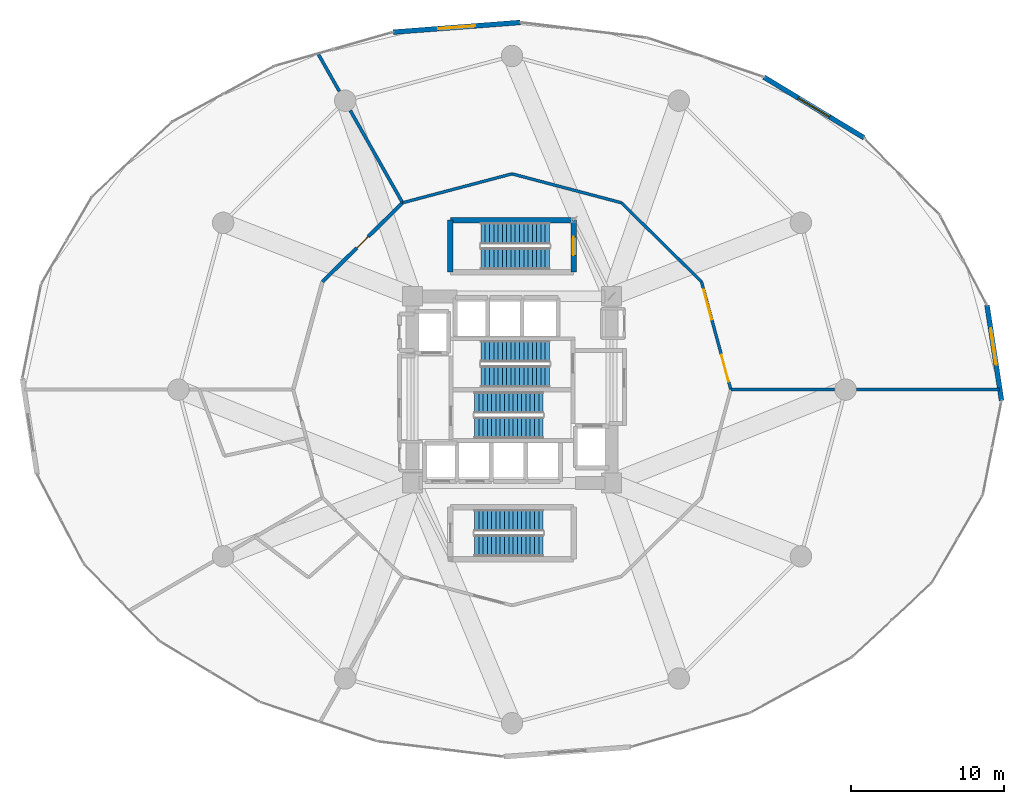
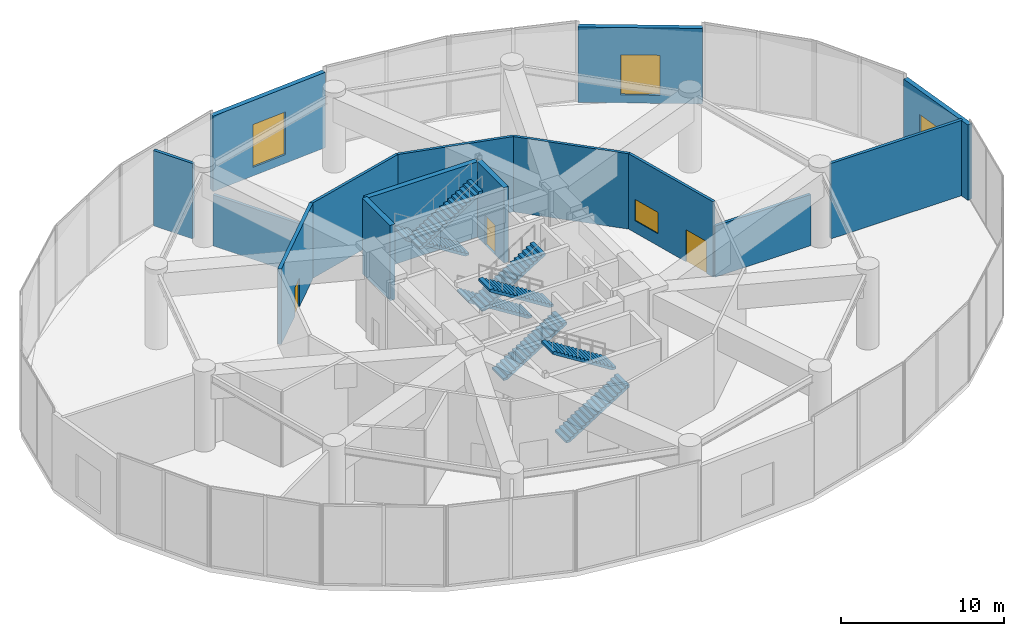
# One storey, part 25 of 28: 15 walls, 8 stair flights, 4 windows, 3 doors, 7 openings, 4 elements without a shape of their own.
"""IFC4 building model written with IfcOpenShell, lengths in metres."""

from ifc_helpers import new_model, si_unit, direction, frame, frame_2d, origin, place, context, subcontext, project, spatial, polyline, rectangle, outline, extrude, material, layer, layer_set, type_object, element, fill, aggregate, save


model = new_model("IFC4")

# Units and contexts
model_context = context("Model", 3, precision=1e-05, world=origin(), true_north=direction((0.0, 1.0)))
body_context = subcontext(model_context, "Body", "Model", "MODEL_VIEW")
ifc_project = project(units=[si_unit("LENGTHUNIT", "METRE"), si_unit("AREAUNIT", "SQUARE_METRE"), si_unit("VOLUMEUNIT", "CUBIC_METRE"), si_unit("PLANEANGLEUNIT", "RADIAN"), si_unit("MASSUNIT", "GRAM", prefix="KILO")], contexts=[model_context])

# Site, building, storey
site_placement = place(None, origin())
site = spatial("IfcSite", under=ifc_project, at=site_placement, CompositionType="ELEMENT")
building_placement = place(site_placement, origin())
building = spatial("IfcBuilding", under=site, at=building_placement, Name="Solvirekh Grand Hotel", CompositionType="ELEMENT")
storey_placement = place(building_placement, frame((0.0, 0.0, 12.60009765625)))
storey = spatial("IfcBuildingStorey", under=building, at=storey_placement, Name="L02", CompositionType="ELEMENT", Elevation=12.60009765625)

# Wall, opening, door
ifc_material_1 = material(Name="Concrete C50/60", Category="concrete")
ifc_layer_1 = layer(ifc_material_1, 0.35009765625)
ifc_layer_set_1 = layer_set([ifc_layer_1], Name="Concrete C50/60")
wall_type_1 = type_object("IfcWallType", Name="CoreDivWall_RC350", PredefinedType="SOLIDWALL", material=ifc_layer_set_1)
wall_1_placement = place(storey_placement, frame((4.02490234375, 7.675048828125, 0.0), z_axis=(0.0, 0.0, 1.0), x_axis=(0.0, 1.0, 0.0)))
wall_1 = element("IfcWall", 1, at=wall_1_placement, inside=storey, type_object=wall_type_1, Name="L02 feature stair ST-4 east landing wall", PredefinedType="SOLIDWALL", context=body_context, shape_type="SweptSolid", body=[
    extrude(rectangle(XDim=3.39990234375, YDim=0.35009765625, at=frame_2d((1.699951171875, 0.0))), origin(), (0.0, 0.0, 1.0), 5.639892578125),
])
opening_1_placement = place(wall_1_placement, frame((1.10009765625, 0.0, 0.0)))
opening_1 = element("IfcOpeningElement", 2, at=opening_1_placement, cuts=wall_1, Name="Opening D05", PredefinedType="OPENING", context=body_context, shape_type="SweptSolid", body=[
    extrude(rectangle(XDim=1.199951171875, YDim=2.199951171875, at=frame_2d((0.60009765625, 1.10009765625))), frame((0.0, 0.18505859375, 0.0), z_axis=(0.0, -1.0, 0.0), x_axis=(1.0, 0.0, 0.0)), (0.0, 0.0, 1.0), 0.3701171875),
])
ifc_material_2 = material(Name="Fire-Rated Steel Door Assembly", Category="steel")
door_type_1 = type_object("IfcDoorType", Name="Door_StairCore_1200X2200", OperationType="NOTDEFINED", PredefinedType="DOOR", material=ifc_material_2)
door_1_placement = place(opening_1_placement, origin())
door_1 = element("IfcDoor", 3, at=door_1_placement, inside=storey, type_object=door_type_1, Name="L02 feature stair ST-4 fire door", OperationType="SINGLE_SWING_LEFT", OverallHeight=2.199951171875, OverallWidth=1.199951171875, PredefinedType="DOOR", context=body_context, shape_type="SweptSolid", body=[
    extrude(rectangle(XDim=1.199951171875, YDim=2.199951171875, at=frame_2d((0.60009765625, 1.10009765625))), frame((0.0, 0.02490234375, 0.0), z_axis=(0.0, -1.0, 0.0), x_axis=(1.0, 0.0, 0.0)), (0.0, 0.0, 1.0), 0.050048828125),
])
fill(opening_1, door_1)

# Walls
wall_2_placement = place(storey_placement, frame((4.02490234375, 11.074951171875, 0.0), z_axis=(0.0, 0.0, 1.0), x_axis=(-1.0, 0.0, 0.0)))
element("IfcWall", 4, at=wall_2_placement, inside=storey, type_object=wall_type_1, Name="L02 feature stair ST-4 N enclosure wall", PredefinedType="SOLIDWALL", context=body_context, shape_type="SweptSolid", body=[
    extrude(rectangle(XDim=8.0498046875, YDim=0.35009765625, at=frame_2d((4.02490234375, 0.0))), origin(), (0.0, 0.0, 1.0), 5.639892578125),
])
wall_3_placement = place(storey_placement, frame((-4.02490234375, 11.074951171875, 0.0), z_axis=(0.0, 0.0, 1.0), x_axis=(0.0, -1.0, 0.0)))
element("IfcWall", 5, at=wall_3_placement, inside=storey, type_object=wall_type_1, Name="L02 feature stair ST-4 W enclosure wall", PredefinedType="SOLIDWALL", context=body_context, shape_type="SweptSolid", body=[
    extrude(rectangle(XDim=3.39990234375, YDim=0.35009765625, at=frame_2d((1.699951171875, 0.0))), origin(), (0.0, 0.0, 1.0), 5.639892578125),
])

# Wall, opening, window
ifc_material_3 = material(Name="Precast concrete C45/55", Category="concrete")
ifc_layer_2 = layer(ifc_material_3, 0.320068359375)
ifc_layer_set_2 = layer_set([ifc_layer_2], Name="Precast concrete C45/55")
wall_type_2 = type_object("IfcWallType", Name="ExtLobbyWall_RC320", PredefinedType="SOLIDWALL", material=ifc_layer_set_2)
wall_4_placement = place(storey_placement, frame((31.041015625, 5.52001953125, 0.0), z_axis=(0.0, 0.0, 1.0), x_axis=(0.150768496596, -0.988569097451, 0.0)))
wall_4 = element("IfcWall", 6, at=wall_4_placement, inside=storey, type_object=wall_type_2, Name="L02 exterior structural wall chord 1", PredefinedType="SOLIDWALL", context=body_context, shape_type="SweptSolid", body=[
    extrude(rectangle(XDim=6.30712890625, YDim=0.320068359375, at=frame_2d((3.153564453125, 0.0))), origin(), (0.0, 0.0, 1.0), 5.639892578125),
])
opening_2_placement = place(wall_4_placement, frame((1.5390625, 0.0, 0.64990234375)))
opening_2 = element("IfcOpeningElement", 7, at=opening_2_placement, cuts=wall_4, Name="Opening W01", PredefinedType="OPENING", context=body_context, shape_type="SweptSolid", body=[
    extrude(rectangle(XDim=2.39990234375, YDim=3.199951171875, at=frame_2d((1.199951171875, 1.60009765625))), frame((0.0, 0.169921875, 0.0), z_axis=(0.0, -1.0, 0.0), x_axis=(1.0, 0.0, 0.0)), (0.0, 0.0, 1.0), 0.340087890625),
])
ifc_material_4 = material(Name="Low-E Tinted Bronze Laminated Glass", Category="aluminium")
window_type_1 = type_object("IfcWindowType", Name="Win_LobbyExt_2400X3200", PartitioningType="SINGLE_PANEL", PredefinedType="WINDOW", material=ifc_material_4)
window_1_placement = place(opening_2_placement, origin())
window_1 = element("IfcWindow", 8, at=window_1_placement, inside=storey, type_object=window_type_1, Name="L02 panoramic bronze-framed window 1", OverallHeight=3.199951171875, OverallWidth=2.39990234375, PartitioningType="SINGLE_PANEL", PredefinedType="WINDOW", context=body_context, shape_type="SweptSolid", body=[
    extrude(rectangle(XDim=2.39990234375, YDim=3.199951171875, at=frame_2d((1.199951171875, 1.60009765625))), frame((0.0, 0.030029296875, 0.0), z_axis=(0.0, -1.0, 0.0), x_axis=(1.0, 0.0, 0.0)), (0.0, 0.0, 1.0), 0.06005859375),
])
fill(opening_2, window_1)

wall_5_placement = place(storey_placement, frame((16.4599609375, 20.422119140625, 0.0), z_axis=(0.0, 0.0, 1.0), x_axis=(0.855375746384, -0.518008042889, 0.0)))
wall_5 = element("IfcWall", 9, at=wall_5_placement, inside=storey, type_object=wall_type_2, Name="L02 exterior structural wall chord 4", PredefinedType="SOLIDWALL", context=body_context, shape_type="SweptSolid", body=[
    extrude(rectangle(XDim=7.64697265625, YDim=0.320068359375, at=frame_2d((3.823486328125, 0.0))), origin(), (0.0, 0.0, 1.0), 5.639892578125),
])
opening_3_placement = place(wall_5_placement, frame((2.623046875, 0.0, 0.60009765625)))
opening_3 = element("IfcOpeningElement", 10, at=opening_3_placement, cuts=wall_5, Name="Opening SK01", PredefinedType="OPENING", context=body_context, shape_type="SweptSolid", body=[
    extrude(rectangle(XDim=2.39990234375, YDim=3.0, at=frame_2d((1.199951171875, 1.5))), frame((0.0, 0.169921875, 0.0), z_axis=(0.0, -1.0, 0.0), x_axis=(1.0, 0.0, 0.0)), (0.0, 0.0, 1.0), 0.340087890625),
])
ifc_material_5 = material(Name="Champagne Low-Iron Crown Laminated Glass", Category="glass")
window_type_2 = type_object("IfcWindowType", Name="Skylight_Podium_2400X3000", PartitioningType="SINGLE_PANEL", PredefinedType="SKYLIGHT", material=ifc_material_5)
window_2_placement = place(opening_3_placement, origin())
window_2 = element("IfcWindow", 11, at=window_2_placement, inside=storey, type_object=window_type_2, Name="L02 high-level clerestory skylight 4", OverallHeight=3.0, OverallWidth=2.39990234375, PartitioningType="SINGLE_PANEL", PredefinedType="SKYLIGHT", context=body_context, shape_type="SweptSolid", body=[
    extrude(rectangle(XDim=2.39990234375, YDim=3.0, at=frame_2d((1.199951171875, 1.5))), frame((0.0, 0.030029296875, 0.0), z_axis=(0.0, -1.0, 0.0), x_axis=(1.0, 0.0, 0.0)), (0.0, 0.0, 1.0), 0.06005859375),
])
fill(opening_3, window_2)

wall_6_placement = place(storey_placement, frame((-7.761962890625, 23.361083984375, 0.0), z_axis=(0.0, 0.0, 1.0), x_axis=(0.997104660851, 0.076041405229, 0.0)))
wall_6 = element("IfcWall", 12, at=wall_6_placement, inside=storey, type_object=wall_type_2, Name="L02 exterior structural wall chord 7", PredefinedType="SOLIDWALL", context=body_context, shape_type="SweptSolid", body=[
    extrude(rectangle(XDim=8.322021484375, YDim=0.320068359375, at=frame_2d((4.1611328125, 0.0))), origin(), (0.0, 0.0, 1.0), 5.639892578125),
])
opening_4_placement = place(wall_6_placement, frame((2.9609375, 0.0, 0.64990234375)))
opening_4 = element("IfcOpeningElement", 13, at=opening_4_placement, cuts=wall_6, Name="Opening W01", PredefinedType="OPENING", context=body_context, shape_type="SweptSolid", body=[
    extrude(rectangle(XDim=2.39990234375, YDim=3.199951171875, at=frame_2d((1.199951171875, 1.60009765625))), frame((0.0, 0.169921875, 0.0), z_axis=(0.0, -1.0, 0.0), x_axis=(1.0, 0.0, 0.0)), (0.0, 0.0, 1.0), 0.340087890625),
])
window_3_placement = place(opening_4_placement, origin())
window_3 = element("IfcWindow", 14, at=window_3_placement, inside=storey, type_object=window_type_1, Name="L02 panoramic bronze-framed window 7", OverallHeight=3.199951171875, OverallWidth=2.39990234375, PartitioningType="SINGLE_PANEL", PredefinedType="WINDOW", context=body_context, shape_type="SweptSolid", body=[
    extrude(rectangle(XDim=2.39990234375, YDim=3.199951171875, at=frame_2d((1.199951171875, 1.60009765625))), frame((0.0, 0.030029296875, 0.0), z_axis=(0.0, -1.0, 0.0), x_axis=(1.0, 0.0, 0.0)), (0.0, 0.0, 1.0), 0.06005859375),
])
fill(opening_4, window_3)

# Wall, opening, door
ifc_material_6 = material(Name="Acoustic Gypsum Partition Assembly")
ifc_layer_3 = layer(ifc_material_6, 0.239990234375)
ifc_layer_set_3 = layer_set([ifc_layer_3], Name="Acoustic Gypsum Partition Assembly")
wall_type_3 = type_object("IfcWallType", Name="Part_Corridor_240", PredefinedType="PARTITIONING", material=ifc_layer_set_3)
wall_7_placement = place(storey_placement, frame((-7.14990234375, 12.2109375, 0.0), z_axis=(0.0, 0.0, 1.0), x_axis=(-0.712071304345, -0.702107155303, 0.0)))
wall_7 = element("IfcWall", 15, at=wall_7_placement, inside=storey, type_object=wall_type_3, Name="L02 Banquet Plating Kitchen corridor wall", PredefinedType="PARTITIONING", context=body_context, shape_type="SweptSolid", body=[
    extrude(rectangle(XDim=7.3505859375, YDim=0.239990234375, at=frame_2d((3.67529296875, 0.0))), origin(), (0.0, 0.0, 1.0), 5.639892578125),
])
opening_5_placement = place(wall_7_placement, frame((3.14990234375, 0.0, 0.0)))
opening_5 = element("IfcOpeningElement", 16, at=opening_5_placement, cuts=wall_7, Name="Opening D12", PredefinedType="OPENING", context=body_context, shape_type="SweptSolid", body=[
    extrude(rectangle(XDim=1.050048828125, YDim=2.14990234375, at=frame_2d((0.52490234375, 1.074951171875))), frame((0.0, 0.1298828125, 0.0), z_axis=(0.0, -1.0, 0.0), x_axis=(1.0, 0.0, 0.0)), (0.0, 0.0, 1.0), 0.260009765625),
])
door_type_2 = type_object("IfcDoorType", Name="Door_PlantBOH_1050X2150", OperationType="NOTDEFINED", PredefinedType="DOOR", material=ifc_material_2)
door_2_placement = place(opening_5_placement, origin())
door_2 = element("IfcDoor", 17, at=door_2_placement, inside=storey, type_object=door_type_2, Name="L02 Banquet Plating Kitchen entrance door", OperationType="SINGLE_SWING_RIGHT", OverallHeight=2.14990234375, OverallWidth=1.050048828125, PredefinedType="DOOR", context=body_context, shape_type="SweptSolid", body=[
    extrude(rectangle(XDim=1.050048828125, YDim=2.14990234375, at=frame_2d((0.52490234375, 1.074951171875))), frame((0.0, 0.02490234375, 0.0), z_axis=(0.0, -1.0, 0.0), x_axis=(1.0, 0.0, 0.0)), (0.0, 0.0, 1.0), 0.050048828125),
])
fill(opening_5, door_2)

# Wall, openings, door, window
ifc_layer_4 = layer(ifc_material_6, 0.18994140625)
ifc_layer_set_4 = layer_set([ifc_layer_4], Name="Acoustic Gypsum Partition Assembly")
wall_type_4 = type_object("IfcWallType", Name="Part_GuestDemise_190", PredefinedType="PARTITIONING", material=ifc_layer_set_4)
wall_8_placement = place(storey_placement, frame((14.300048828125, 0.0, 0.0), z_axis=(0.0, 0.0, 1.0), x_axis=(-0.262260528785, 0.964997106235, 0.0)))
wall_8 = element("IfcWall", 18, at=wall_8_placement, inside=storey, type_object=wall_type_4, Name="L02 Pre-Function Champagne Foyer corridor wall", PredefinedType="PARTITIONING", context=body_context, shape_type="SweptSolid", body=[
    extrude(rectangle(XDim=7.3056640625, YDim=0.18994140625, at=frame_2d((3.65283203125, 0.0))), origin(), (0.0, 0.0, 1.0), 5.639892578125),
])
opening_6_placement = place(wall_8_placement, frame((0.550048828125, 0.0, 0.0)))
opening_6 = element("IfcOpeningElement", 19, at=opening_6_placement, cuts=wall_8, Name="Opening D11", PredefinedType="OPENING", context=body_context, shape_type="SweptSolid", body=[
    extrude(rectangle(XDim=1.800048828125, YDim=2.39990234375, at=frame_2d((0.89990234375, 1.199951171875))), frame((0.0, 0.10498046875, 0.0), z_axis=(0.0, -1.0, 0.0), x_axis=(1.0, 0.0, 0.0)), (0.0, 0.0, 1.0), 0.2099609375),
])
opening_7_placement = place(wall_8_placement, frame((4.756103515625, 0.0, 0.89990234375)))
opening_7 = element("IfcOpeningElement", 20, at=opening_7_placement, cuts=wall_8, Name="Opening W03", PredefinedType="OPENING", context=body_context, shape_type="SweptSolid", body=[
    extrude(rectangle(XDim=2.0, YDim=1.60009765625, at=frame_2d((1.0, 0.800048828125))), frame((0.0, 0.10498046875, 0.0), z_axis=(0.0, -1.0, 0.0), x_axis=(1.0, 0.0, 0.0)), (0.0, 0.0, 1.0), 0.2099609375),
])
door_type_3 = type_object("IfcDoorType", Name="Door_Ballroom_1800X2400", OperationType="NOTDEFINED", PredefinedType="DOOR", material=ifc_material_2)
door_3_placement = place(opening_6_placement, origin())
door_3 = element("IfcDoor", 21, at=door_3_placement, inside=storey, type_object=door_type_3, Name="L02 Pre-Function Champagne Foyer entrance door", OperationType="SINGLE_SWING_LEFT", OverallHeight=2.39990234375, OverallWidth=1.800048828125, PredefinedType="DOOR", context=body_context, shape_type="SweptSolid", body=[
    extrude(rectangle(XDim=1.800048828125, YDim=2.39990234375, at=frame_2d((0.89990234375, 1.199951171875))), frame((0.0, 0.02490234375, 0.0), z_axis=(0.0, -1.0, 0.0), x_axis=(1.0, 0.0, 0.0)), (0.0, 0.0, 1.0), 0.050048828125),
])
fill(opening_6, door_3)
ifc_material_7 = material(Name="Fire-Rated Ceramic Glazing", Category="glass")
window_type_3 = type_object("IfcWindowType", Name="Win_FoyerInt_2000X1600", PartitioningType="SINGLE_PANEL", PredefinedType="WINDOW", material=ifc_material_7)
window_4_placement = place(opening_7_placement, origin())
window_4 = element("IfcWindow", 22, at=window_4_placement, inside=storey, type_object=window_type_3, Name="L02 Pre-Function Champagne Foyer interior glazed screen", OverallHeight=1.60009765625, OverallWidth=2.0, PartitioningType="SINGLE_PANEL", PredefinedType="WINDOW", context=body_context, shape_type="SweptSolid", body=[
    extrude(rectangle(XDim=2.0, YDim=1.60009765625, at=frame_2d((1.0, 0.800048828125))), frame((0.0, 0.030029296875, 0.0), z_axis=(0.0, -1.0, 0.0), x_axis=(1.0, 0.0, 0.0)), (0.0, 0.0, 1.0), 0.06005859375),
])
fill(opening_7, window_4)

# Walls
wall_9_placement = place(storey_placement, frame((12.384033203125, 7.050048828125, 0.0), z_axis=(0.0, 0.0, 1.0), x_axis=(-0.712071304345, 0.702107155303, 0.0)))
element("IfcWall", 23, at=wall_9_placement, inside=storey, type_object=wall_type_4, Name="L02 Pre-Function Champagne Foyer corridor wall 2", PredefinedType="PARTITIONING", context=body_context, shape_type="SweptSolid", body=[
    extrude(rectangle(XDim=7.3505859375, YDim=0.18994140625, at=frame_2d((3.67529296875, 0.0))), origin(), (0.0, 0.0, 1.0), 5.639892578125),
])
for number, where, z_axis, x_axis, name in (
    (24, (7.14990234375, 12.2109375, 0.0), (0.0, 0.0, 1.0), (-0.966820901533, 0.255455170937, 0.0), "L02 Pre-Function Champagne Foyer corridor wall 3"),
    (25, (0.0, 14.10009765625, 0.0), (0.0, 0.0, 1.0), (-0.966820901533, -0.255455170937, 0.0), "L02 Pre-Function Champagne Foyer corridor wall 4"),
):
    element("IfcWall", number, at=place(storey_placement, frame(where, z_axis=z_axis, x_axis=x_axis)), inside=storey, type_object=wall_type_4, Name=name, PredefinedType="PARTITIONING", context=body_context, shape_type="SweptSolid", body=[
        extrude(rectangle(XDim=7.395263671875, YDim=0.18994140625, at=frame_2d((3.69775390625, 0.0))), origin(), (0.0, 0.0, 1.0), 5.639892578125),
    ])
ifc_layer_5 = layer(ifc_material_6, 0.2099609375)
ifc_layer_set_5 = layer_set([ifc_layer_5], Name="Acoustic Gypsum Partition Assembly")
wall_type_5 = type_object("IfcWallType", Name="Part_SuiteDemise_210", PredefinedType="PARTITIONING", material=ifc_layer_set_5)
wall_10_placement = place(storey_placement, frame((14.300048828125, 0.0, 0.0), z_axis=(0.0, 0.0, 1.0), x_axis=(1.0, 0.0, 0.0)))
element("IfcWall", 26, at=wall_10_placement, inside=storey, type_object=wall_type_5, Name="L02 radial demising wall 1 (A)", PredefinedType="PARTITIONING", context=body_context, shape_type="SweptSolid", body=[
    extrude(rectangle(XDim=6.780029296875, YDim=0.2099609375, at=frame_2d((3.39013671875, 0.0))), origin(), (0.0, 0.0, 1.0), 3.824951171875),
])
wall_11_placement = place(storey_placement, frame((22.52001953125, 0.0, 0.0), z_axis=(0.0, 0.0, 1.0), x_axis=(1.0, 0.0, 0.0)))
element("IfcWall", 27, at=wall_11_placement, inside=storey, type_object=wall_type_5, Name="L02 radial demising wall 1 (B)", PredefinedType="PARTITIONING", context=body_context, shape_type="SweptSolid", body=[
    extrude(rectangle(XDim=9.322998046875, YDim=0.2099609375, at=frame_2d((4.66162109375, 0.0))), origin(), (0.0, 0.0, 1.0), 5.639892578125),
])
wall_12_placement = place(storey_placement, frame((-7.14990234375, 12.2109375, 0.0), z_axis=(0.0, 0.0, 1.0), x_axis=(-0.493310272192, 0.869853421762, 0.0)))
element("IfcWall", 28, at=wall_12_placement, inside=storey, type_object=wall_type_5, Name="L02 radial demising wall 5 (A)", PredefinedType="PARTITIONING", context=body_context, shape_type="SweptSolid", body=[
    extrude(rectangle(XDim=6.93115234375, YDim=0.2099609375, at=frame_2d((3.465576171875, 0.0))), origin(), (0.0, 0.0, 1.0), 3.824951171875),
])
wall_13_placement = place(storey_placement, frame((-11.279052734375, 19.490966796875, 0.0), z_axis=(0.0, 0.0, 1.0), x_axis=(-0.493160381489, 0.869938410538, 0.0)))
element("IfcWall", 29, at=wall_13_placement, inside=storey, type_object=wall_type_5, Name="L02 radial demising wall 5 (B)", PredefinedType="PARTITIONING", context=body_context, shape_type="SweptSolid", body=[
    extrude(rectangle(XDim=2.7919921875, YDim=0.2099609375, at=frame_2d((1.39599609375, 0.0))), origin(), (0.0, 0.0, 1.0), 5.639892578125),
])

# Stair, stair flights
ifc_material_8 = material(Name="Concrete C40/50", Category="concrete")
stair_type_1 = type_object("IfcStairType", Name="Stair_Core_1450", PredefinedType="HALF_TURN_STAIR", material=ifc_material_8)
stair_1_placement = place(storey_placement, origin())
stair_1 = element("IfcStair", 30, at=stair_1_placement, inside=storey, type_object=stair_type_1, Name="L02 Enclosed exit stair ST-1", PredefinedType="HALF_TURN_STAIR")
stair_flight_type_1 = type_object("IfcStairFlightType", Name="Flight_Core_1450", PredefinedType="STRAIGHT", material=ifc_material_8)
stair_flight_1_placement = place(storey_placement, frame((-2.449951171875, -2.5, 0.0), z_axis=(0.0, 0.0, 1.0), x_axis=(1.0, 0.0, 0.0)))
stair_flight_1 = element("IfcStairFlight", 31, at=stair_flight_1_placement, type_object=stair_flight_type_1, Name="ST-1 flight 1", NumberOfRisers=17, NumberOfTreads=16, PredefinedType="STRAIGHT", RiserHeight=0.176470588, TreadLength=0.28, context=body_context, shape_type="SweptSolid", body=[
    extrude(outline(polyline([(0.0, 0.0), (0.0, 0.176513671875), (0.280029296875, 0.176513671875), (0.280029296875, 0.35302734375), (0.56005859375, 0.35302734375), (0.56005859375, 0.529296875), (0.840087890625, 0.529296875), (0.840087890625, 0.705810546875), (1.1201171875, 0.705810546875), (1.1201171875, 0.88232421875), (1.39990234375, 0.88232421875), (1.39990234375, 1.058837890625), (1.679931640625, 1.058837890625), (1.679931640625, 1.2353515625), (1.9599609375, 1.2353515625), (1.9599609375, 1.411865234375), (2.239990234375, 1.411865234375), (2.239990234375, 1.588134765625), (2.52001953125, 1.588134765625), (2.52001953125, 1.7646484375), (2.800048828125, 1.7646484375), (2.800048828125, 1.941162109375), (3.080078125, 1.941162109375), (3.080078125, 2.11767578125), (3.360107421875, 2.11767578125), (3.360107421875, 2.294189453125), (3.639892578125, 2.294189453125), (3.639892578125, 2.470703125), (3.919921875, 2.470703125), (3.919921875, 2.64697265625), (4.199951171875, 2.64697265625), (4.199951171875, 2.823486328125), (4.47998046875, 2.823486328125), (4.47998046875, 3.0), (4.47998046875, 2.646240234375), (0.28125, 0.0), (0.0, 0.0)])), frame((0.0, 0.699951171875, 0.0), z_axis=(0.0, -1.0, 0.0), x_axis=(1.0, 0.0, 0.0)), (0.0, 0.0, 1.0), 1.39990234375),
])
stair_flight_2_placement = place(storey_placement, frame((2.030029296875, -0.85009765625, 3.0), z_axis=(0.0, 0.0, 1.0), x_axis=(-1.0, 0.0, 0.0)))
stair_flight_2 = element("IfcStairFlight", 32, at=stair_flight_2_placement, type_object=stair_flight_type_1, Name="ST-1 flight 2", NumberOfRisers=17, NumberOfTreads=16, PredefinedType="STRAIGHT", RiserHeight=0.176470588, TreadLength=0.28, context=body_context, shape_type="SweptSolid", body=[
    extrude(outline(polyline([(0.0, 0.0), (0.0, 0.176513671875), (0.280029296875, 0.176513671875), (0.280029296875, 0.35302734375), (0.56005859375, 0.35302734375), (0.56005859375, 0.529296875), (0.840087890625, 0.529296875), (0.840087890625, 0.705810546875), (1.1201171875, 0.705810546875), (1.1201171875, 0.88232421875), (1.39990234375, 0.88232421875), (1.39990234375, 1.058837890625), (1.679931640625, 1.058837890625), (1.679931640625, 1.2353515625), (1.9599609375, 1.2353515625), (1.9599609375, 1.411865234375), (2.239990234375, 1.411865234375), (2.239990234375, 1.588134765625), (2.52001953125, 1.588134765625), (2.52001953125, 1.7646484375), (2.800048828125, 1.7646484375), (2.800048828125, 1.941162109375), (3.080078125, 1.941162109375), (3.080078125, 2.11767578125), (3.360107421875, 2.11767578125), (3.360107421875, 2.294189453125), (3.639892578125, 2.294189453125), (3.639892578125, 2.470703125), (3.919921875, 2.470703125), (3.919921875, 2.64697265625), (4.199951171875, 2.64697265625), (4.199951171875, 2.823486328125), (4.47998046875, 2.823486328125), (4.47998046875, 3.0), (4.47998046875, 2.646240234375), (0.28125, 0.0), (0.0, 0.0)])), frame((0.0, 0.699951171875, 0.0), z_axis=(0.0, -1.0, 0.0), x_axis=(1.0, 0.0, 0.0)), (0.0, 0.0, 1.0), 1.39990234375),
])
aggregate(stair_1, [stair_flight_1, stair_flight_2])

stair_2_placement = place(storey_placement, origin())
stair_2 = element("IfcStair", 33, at=stair_2_placement, inside=storey, type_object=stair_type_1, Name="L02 Enclosed exit stair ST-2", PredefinedType="HALF_TURN_STAIR")
stair_flight_3_placement = place(storey_placement, frame((2.449951171875, 2.5, 0.0), z_axis=(0.0, 0.0, 1.0), x_axis=(-1.0, 0.0, 0.0)))
stair_flight_3 = element("IfcStairFlight", 34, at=stair_flight_3_placement, type_object=stair_flight_type_1, Name="ST-2 flight 1", NumberOfRisers=17, NumberOfTreads=16, PredefinedType="STRAIGHT", RiserHeight=0.176470588, TreadLength=0.28, context=body_context, shape_type="SweptSolid", body=[
    extrude(outline(polyline([(0.0, 0.0), (0.0, 0.176513671875), (0.280029296875, 0.176513671875), (0.280029296875, 0.35302734375), (0.56005859375, 0.35302734375), (0.56005859375, 0.529296875), (0.840087890625, 0.529296875), (0.840087890625, 0.705810546875), (1.1201171875, 0.705810546875), (1.1201171875, 0.88232421875), (1.39990234375, 0.88232421875), (1.39990234375, 1.058837890625), (1.679931640625, 1.058837890625), (1.679931640625, 1.2353515625), (1.9599609375, 1.2353515625), (1.9599609375, 1.411865234375), (2.239990234375, 1.411865234375), (2.239990234375, 1.588134765625), (2.52001953125, 1.588134765625), (2.52001953125, 1.7646484375), (2.800048828125, 1.7646484375), (2.800048828125, 1.941162109375), (3.080078125, 1.941162109375), (3.080078125, 2.11767578125), (3.360107421875, 2.11767578125), (3.360107421875, 2.294189453125), (3.639892578125, 2.294189453125), (3.639892578125, 2.470703125), (3.919921875, 2.470703125), (3.919921875, 2.64697265625), (4.199951171875, 2.64697265625), (4.199951171875, 2.823486328125), (4.47998046875, 2.823486328125), (4.47998046875, 3.0), (4.47998046875, 2.646240234375), (0.28125, 0.0), (0.0, 0.0)])), frame((0.0, 0.699951171875, 0.0), z_axis=(0.0, -1.0, 0.0), x_axis=(1.0, 0.0, 0.0)), (0.0, 0.0, 1.0), 1.39990234375),
])
stair_flight_4_placement = place(storey_placement, frame((-2.030029296875, 0.85009765625, 3.0), z_axis=(0.0, 0.0, 1.0), x_axis=(1.0, 0.0, 0.0)))
stair_flight_4 = element("IfcStairFlight", 35, at=stair_flight_4_placement, type_object=stair_flight_type_1, Name="ST-2 flight 2", NumberOfRisers=17, NumberOfTreads=16, PredefinedType="STRAIGHT", RiserHeight=0.176470588, TreadLength=0.28, context=body_context, shape_type="SweptSolid", body=[
    extrude(outline(polyline([(0.0, 0.0), (0.0, 0.176513671875), (0.280029296875, 0.176513671875), (0.280029296875, 0.35302734375), (0.56005859375, 0.35302734375), (0.56005859375, 0.529296875), (0.840087890625, 0.529296875), (0.840087890625, 0.705810546875), (1.1201171875, 0.705810546875), (1.1201171875, 0.88232421875), (1.39990234375, 0.88232421875), (1.39990234375, 1.058837890625), (1.679931640625, 1.058837890625), (1.679931640625, 1.2353515625), (1.9599609375, 1.2353515625), (1.9599609375, 1.411865234375), (2.239990234375, 1.411865234375), (2.239990234375, 1.588134765625), (2.52001953125, 1.588134765625), (2.52001953125, 1.7646484375), (2.800048828125, 1.7646484375), (2.800048828125, 1.941162109375), (3.080078125, 1.941162109375), (3.080078125, 2.11767578125), (3.360107421875, 2.11767578125), (3.360107421875, 2.294189453125), (3.639892578125, 2.294189453125), (3.639892578125, 2.470703125), (3.919921875, 2.470703125), (3.919921875, 2.64697265625), (4.199951171875, 2.64697265625), (4.199951171875, 2.823486328125), (4.47998046875, 2.823486328125), (4.47998046875, 3.0), (4.47998046875, 2.646240234375), (0.28125, 0.0), (0.0, 0.0)])), frame((0.0, 0.699951171875, 0.0), z_axis=(0.0, -1.0, 0.0), x_axis=(1.0, 0.0, 0.0)), (0.0, 0.0, 1.0), 1.39990234375),
])
aggregate(stair_2, [stair_flight_3, stair_flight_4])

ifc_material_9 = material(Name="Steel S355", Category="steel")
stair_type_2 = type_object("IfcStairType", Name="Stair_Grand_2000", PredefinedType="STRAIGHT_RUN_STAIR", material=ifc_material_9)
stair_3_placement = place(storey_placement, origin())
stair_3 = element("IfcStair", 36, at=stair_3_placement, inside=storey, type_object=stair_type_2, Name="L02 Enclosed exit stair ST-4", PredefinedType="STRAIGHT_RUN_STAIR")
stair_flight_type_2 = type_object("IfcStairFlightType", Name="Flight_Grand_2000", PredefinedType="STRAIGHT", material=ifc_material_9)
stair_flight_5_placement = place(storey_placement, frame((2.449951171875, 10.199951171875, 0.0), z_axis=(0.0, 0.0, 1.0), x_axis=(-1.0, 0.0, 0.0)))
stair_flight_5 = element("IfcStairFlight", 37, at=stair_flight_5_placement, type_object=stair_flight_type_2, Name="ST-4 flight 1", NumberOfRisers=17, NumberOfTreads=16, PredefinedType="STRAIGHT", RiserHeight=0.176470588, TreadLength=0.28, context=body_context, shape_type="SweptSolid", body=[
    extrude(outline(polyline([(0.0, 0.0), (0.0, 0.176513671875), (0.280029296875, 0.176513671875), (0.280029296875, 0.35302734375), (0.56005859375, 0.35302734375), (0.56005859375, 0.529296875), (0.840087890625, 0.529296875), (0.840087890625, 0.705810546875), (1.1201171875, 0.705810546875), (1.1201171875, 0.88232421875), (1.39990234375, 0.88232421875), (1.39990234375, 1.058837890625), (1.679931640625, 1.058837890625), (1.679931640625, 1.2353515625), (1.9599609375, 1.2353515625), (1.9599609375, 1.411865234375), (2.239990234375, 1.411865234375), (2.239990234375, 1.588134765625), (2.52001953125, 1.588134765625), (2.52001953125, 1.7646484375), (2.800048828125, 1.7646484375), (2.800048828125, 1.941162109375), (3.080078125, 1.941162109375), (3.080078125, 2.11767578125), (3.360107421875, 2.11767578125), (3.360107421875, 2.294189453125), (3.639892578125, 2.294189453125), (3.639892578125, 2.470703125), (3.919921875, 2.470703125), (3.919921875, 2.64697265625), (4.199951171875, 2.64697265625), (4.199951171875, 2.823486328125), (4.47998046875, 2.823486328125), (4.47998046875, 3.0), (4.47998046875, 2.646240234375), (0.28125, 0.0), (0.0, 0.0)])), frame((0.0, 0.699951171875, 0.0), z_axis=(0.0, -1.0, 0.0), x_axis=(1.0, 0.0, 0.0)), (0.0, 0.0, 1.0), 1.39990234375),
])
stair_flight_6_placement = place(storey_placement, frame((-2.030029296875, 8.550048828125, 3.0), z_axis=(0.0, 0.0, 1.0), x_axis=(1.0, 0.0, 0.0)))
stair_flight_6 = element("IfcStairFlight", 38, at=stair_flight_6_placement, type_object=stair_flight_type_2, Name="ST-4 flight 2", NumberOfRisers=17, NumberOfTreads=16, PredefinedType="STRAIGHT", RiserHeight=0.176470588, TreadLength=0.28, context=body_context, shape_type="SweptSolid", body=[
    extrude(outline(polyline([(0.0, 0.0), (0.0, 0.176513671875), (0.280029296875, 0.176513671875), (0.280029296875, 0.35302734375), (0.56005859375, 0.35302734375), (0.56005859375, 0.529296875), (0.840087890625, 0.529296875), (0.840087890625, 0.705810546875), (1.1201171875, 0.705810546875), (1.1201171875, 0.88232421875), (1.39990234375, 0.88232421875), (1.39990234375, 1.058837890625), (1.679931640625, 1.058837890625), (1.679931640625, 1.2353515625), (1.9599609375, 1.2353515625), (1.9599609375, 1.411865234375), (2.239990234375, 1.411865234375), (2.239990234375, 1.588134765625), (2.52001953125, 1.588134765625), (2.52001953125, 1.7646484375), (2.800048828125, 1.7646484375), (2.800048828125, 1.941162109375), (3.080078125, 1.941162109375), (3.080078125, 2.11767578125), (3.360107421875, 2.11767578125), (3.360107421875, 2.294189453125), (3.639892578125, 2.294189453125), (3.639892578125, 2.470703125), (3.919921875, 2.470703125), (3.919921875, 2.64697265625), (4.199951171875, 2.64697265625), (4.199951171875, 2.823486328125), (4.47998046875, 2.823486328125), (4.47998046875, 3.0), (4.47998046875, 2.646240234375), (0.28125, 0.0), (0.0, 0.0)])), frame((0.0, 0.699951171875, 0.0), z_axis=(0.0, -1.0, 0.0), x_axis=(1.0, 0.0, 0.0)), (0.0, 0.0, 1.0), 1.39990234375),
])
aggregate(stair_3, [stair_flight_5, stair_flight_6])

stair_type_3 = type_object("IfcStairType", Name="Stair_Pod_1600", PredefinedType="HALF_TURN_STAIR", material=ifc_material_8)
stair_4_placement = place(storey_placement, origin())
stair_4 = element("IfcStair", 39, at=stair_4_placement, inside=storey, type_object=stair_type_3, Name="L02 Enclosed exit stair ST-3", PredefinedType="HALF_TURN_STAIR")
stair_flight_type_3 = type_object("IfcStairFlightType", Name="Flight_Pod_1600", PredefinedType="STRAIGHT", material=ifc_material_8)
stair_flight_7_placement = place(storey_placement, frame((-2.449951171875, -10.199951171875, 0.0), z_axis=(0.0, 0.0, 1.0), x_axis=(1.0, 0.0, 0.0)))
stair_flight_7 = element("IfcStairFlight", 40, at=stair_flight_7_placement, type_object=stair_flight_type_3, Name="ST-3 flight 1", NumberOfRisers=17, NumberOfTreads=16, PredefinedType="STRAIGHT", RiserHeight=0.176470588, TreadLength=0.28, context=body_context, shape_type="SweptSolid", body=[
    extrude(outline(polyline([(0.0, 0.0), (0.0, 0.176513671875), (0.280029296875, 0.176513671875), (0.280029296875, 0.35302734375), (0.56005859375, 0.35302734375), (0.56005859375, 0.529296875), (0.840087890625, 0.529296875), (0.840087890625, 0.705810546875), (1.1201171875, 0.705810546875), (1.1201171875, 0.88232421875), (1.39990234375, 0.88232421875), (1.39990234375, 1.058837890625), (1.679931640625, 1.058837890625), (1.679931640625, 1.2353515625), (1.9599609375, 1.2353515625), (1.9599609375, 1.411865234375), (2.239990234375, 1.411865234375), (2.239990234375, 1.588134765625), (2.52001953125, 1.588134765625), (2.52001953125, 1.7646484375), (2.800048828125, 1.7646484375), (2.800048828125, 1.941162109375), (3.080078125, 1.941162109375), (3.080078125, 2.11767578125), (3.360107421875, 2.11767578125), (3.360107421875, 2.294189453125), (3.639892578125, 2.294189453125), (3.639892578125, 2.470703125), (3.919921875, 2.470703125), (3.919921875, 2.64697265625), (4.199951171875, 2.64697265625), (4.199951171875, 2.823486328125), (4.47998046875, 2.823486328125), (4.47998046875, 3.0), (4.47998046875, 2.646240234375), (0.28125, 0.0), (0.0, 0.0)])), frame((0.0, 0.699951171875, 0.0), z_axis=(0.0, -1.0, 0.0), x_axis=(1.0, 0.0, 0.0)), (0.0, 0.0, 1.0), 1.39990234375),
])
stair_flight_8_placement = place(storey_placement, frame((2.030029296875, -8.550048828125, 3.0), z_axis=(0.0, 0.0, 1.0), x_axis=(-1.0, 0.0, 0.0)))
stair_flight_8 = element("IfcStairFlight", 41, at=stair_flight_8_placement, type_object=stair_flight_type_3, Name="ST-3 flight 2", NumberOfRisers=17, NumberOfTreads=16, PredefinedType="STRAIGHT", RiserHeight=0.176470588, TreadLength=0.28, context=body_context, shape_type="SweptSolid", body=[
    extrude(outline(polyline([(0.0, 0.0), (0.0, 0.176513671875), (0.280029296875, 0.176513671875), (0.280029296875, 0.35302734375), (0.56005859375, 0.35302734375), (0.56005859375, 0.529296875), (0.840087890625, 0.529296875), (0.840087890625, 0.705810546875), (1.1201171875, 0.705810546875), (1.1201171875, 0.88232421875), (1.39990234375, 0.88232421875), (1.39990234375, 1.058837890625), (1.679931640625, 1.058837890625), (1.679931640625, 1.2353515625), (1.9599609375, 1.2353515625), (1.9599609375, 1.411865234375), (2.239990234375, 1.411865234375), (2.239990234375, 1.588134765625), (2.52001953125, 1.588134765625), (2.52001953125, 1.7646484375), (2.800048828125, 1.7646484375), (2.800048828125, 1.941162109375), (3.080078125, 1.941162109375), (3.080078125, 2.11767578125), (3.360107421875, 2.11767578125), (3.360107421875, 2.294189453125), (3.639892578125, 2.294189453125), (3.639892578125, 2.470703125), (3.919921875, 2.470703125), (3.919921875, 2.64697265625), (4.199951171875, 2.64697265625), (4.199951171875, 2.823486328125), (4.47998046875, 2.823486328125), (4.47998046875, 3.0), (4.47998046875, 2.646240234375), (0.28125, 0.0), (0.0, 0.0)])), frame((0.0, 0.699951171875, 0.0), z_axis=(0.0, -1.0, 0.0), x_axis=(1.0, 0.0, 0.0)), (0.0, 0.0, 1.0), 1.39990234375),
])
aggregate(stair_4, [stair_flight_7, stair_flight_8])

save(model, "model.ifc")
